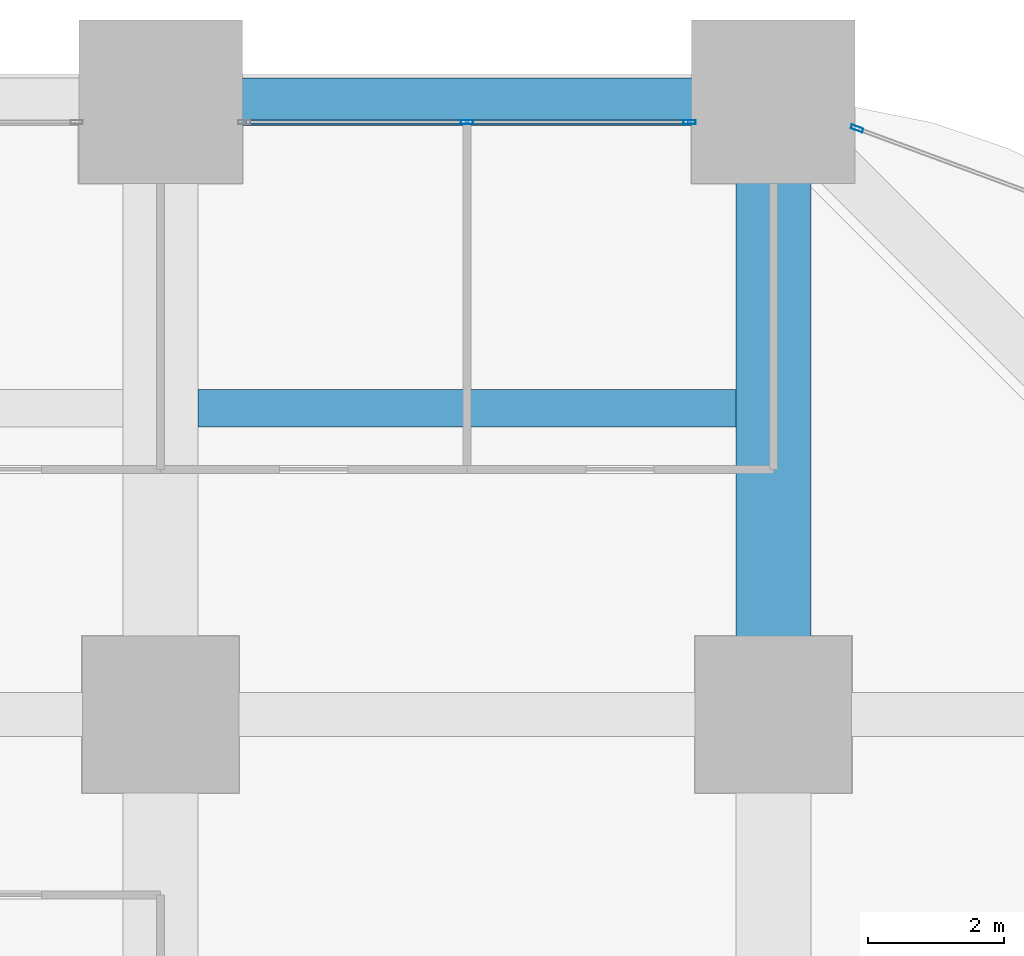
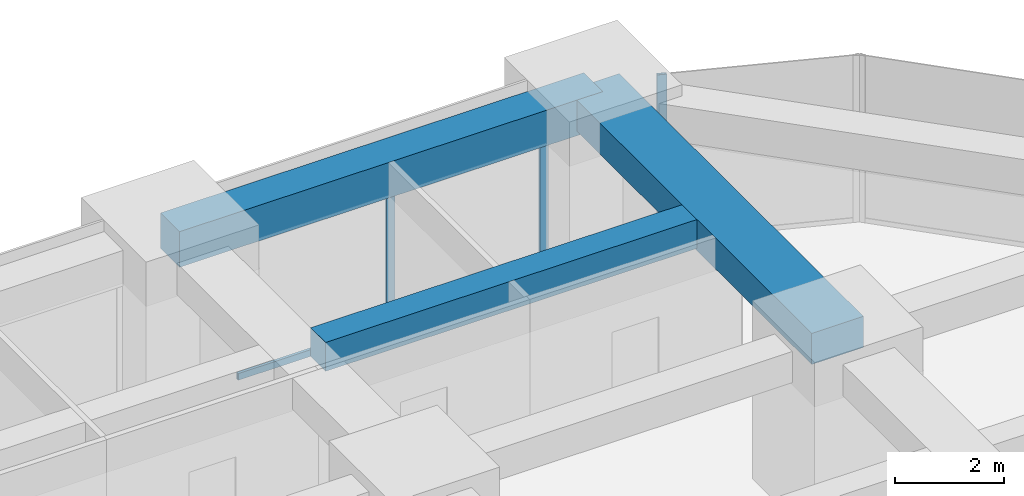
# One storey, part 36 of 44: 4 members, 3 beams, 2 elements without a shape of their own.
"""IFC4 building model written with IfcOpenShell, lengths in metres."""

import ifcopenshell
import ifcopenshell.guid

model = None  # the IFC model being written
_history = None  # IfcOwnerHistory: only IFC2X3 demands one
_inside = {}  # id of a spatial element -> (the spatial element, [elements in it])
_under = {}  # id of a project, library or spatial element -> (it, [spatial elements below it])
_declared = {}  # id of a project -> (the project, [libraries it declares])
_typed = {}  # id of a type object -> (the type object, [elements of that type])
_made_of = {}  # id of a material, layer set ... -> (it, [elements and type objects made of it])


def new_model(schema):
    """Start an empty IFC model of exactly this schema.

    Asked for "IFC4X3", IfcOpenShell would pick the latest addendum, in which some entities
    have other attributes; the version numbers below select the first issue.
    IFC2X3 requires an IfcOwnerHistory on every rooted entity: one is made here for all.
    """
    global model, _history
    if schema == "IFC4X3":
        model = ifcopenshell.file(schema_version=(4, 3, 0, 0))
    else:
        model = ifcopenshell.file(schema=schema)
    _inside.clear()
    _under.clear()
    _declared.clear()
    _typed.clear()
    _made_of.clear()
    _history = None
    if model.schema == "IFC2X3":
        org = make("IfcOrganization", Name="unknown")
        user = make(
            "IfcPersonAndOrganization",
            ThePerson=make("IfcPerson", FamilyName="unknown"),
            TheOrganization=org,
        )
        app = make(
            "IfcApplication",
            ApplicationDeveloper=org,
            Version="unknown",
            ApplicationFullName="unknown",
            ApplicationIdentifier="unknown",
        )
        _history = make(
            "IfcOwnerHistory",
            OwningUser=user,
            OwningApplication=app,
            ChangeAction="ADDED",
            CreationDate=0,
        )
    return model


def make(cls, **values):
    """One entity of the class cls with the attributes given. An attribute that is None is left unset."""
    return model.create_entity(
        cls, **{name: value for name, value in values.items() if value is not None}
    )


def rooted(cls, **values):
    """An entity with a GlobalId (a new one), such as an element, a storey or a relation."""
    return make(cls, GlobalId=ifcopenshell.guid.new(), OwnerHistory=_history, **values)


def si_unit(unit_type, name, prefix=None):
    """IfcSIUnit, for example si_unit("LENGTHUNIT", "METRE", prefix="MILLI")."""
    return make("IfcSIUnit", UnitType=unit_type, Prefix=prefix, Name=name)


def assignment(units):
    """IfcUnitAssignment: the units of a project."""
    return None if units is None else make("IfcUnitAssignment", Units=units)


def point(xyz):
    """IfcCartesianPoint."""
    return None if xyz is None else make("IfcCartesianPoint", Coordinates=xyz)


def direction(xyz):
    """IfcDirection."""
    return None if xyz is None else make("IfcDirection", DirectionRatios=xyz)


def frame(location, z_axis=None, x_axis=None):
    """IfcAxis2Placement3D, a coordinate frame: its origin and axes. An axis left out is left unset."""
    return make(
        "IfcAxis2Placement3D",
        Location=point(location),
        Axis=direction(z_axis),
        RefDirection=direction(x_axis),
    )


def frame_2d(location, x_axis=None):
    """IfcAxis2Placement2D, a coordinate frame in the plane: its origin and x axis."""
    return make(
        "IfcAxis2Placement2D", Location=point(location), RefDirection=direction(x_axis)
    )


def origin():
    """The frame at (0, 0, 0) with its axes left unset."""
    return frame((0.0, 0.0, 0.0))


def origin_2d():
    """The frame at (0, 0) in the plane with its x axis left unset."""
    return frame_2d((0.0, 0.0))


def place(relative_to, where):
    """IfcLocalPlacement: puts the frame where relative to a parent placement (None: the world)."""
    return make(
        "IfcLocalPlacement", PlacementRelTo=relative_to, RelativePlacement=where
    )


def context(
    kind, dimensions, precision=None, world=None, true_north=None, identifier=None
):
    """IfcGeometricRepresentationContext, for example the 3D "Model" context."""
    return make(
        "IfcGeometricRepresentationContext",
        ContextIdentifier=identifier,
        ContextType=kind,
        CoordinateSpaceDimension=dimensions,
        Precision=precision,
        WorldCoordinateSystem=world,
        TrueNorth=true_north,
    )


def subcontext(parent, identifier, kind, view, scale=None):
    """IfcGeometricRepresentationSubContext, for example "Body" below "Model"."""
    return make(
        "IfcGeometricRepresentationSubContext",
        ContextIdentifier=identifier,
        ContextType=kind,
        ParentContext=parent,
        TargetScale=scale,
        TargetView=view,
    )


def project(units=None, contexts=None):
    """IfcProject with its units and contexts."""
    return rooted(
        "IfcProject",
        Name="project",
        RepresentationContexts=contexts,
        UnitsInContext=assignment(units),
    )


def spatial(cls, under=None, at=None, **own):
    """A site, building, storey or space (cls), placed at a placement, below another one or the project."""
    s = rooted(cls, ObjectPlacement=at, **own)
    if under is not None:
        _under.setdefault(under.id(), (under, []))[1].append(s)
    return s


def profile(cls, at=None, kind="AREA", **sizes):
    """A parametric profile (cls). Its sizes go by their IFC names, for example OverallWidth=200.0."""
    return make(cls, ProfileType=kind, Position=at, **sizes)


def rectangle(**sizes):
    """IfcRectangleProfileDef."""
    return profile("IfcRectangleProfileDef", **sizes)


def hollow_rectangle(**sizes):
    """IfcRectangleHollowProfileDef."""
    return profile("IfcRectangleHollowProfileDef", **sizes)


def extrude(swept, where, along, depth):
    """IfcExtrudedAreaSolid: the profile swept, set in the frame where, extruded along a direction by depth."""
    return make(
        "IfcExtrudedAreaSolid",
        SweptArea=swept,
        Position=where,
        ExtrudedDirection=direction(along),
        Depth=depth,
    )


def shape(context_of_items, identifier, shape_type, items):
    """IfcShapeRepresentation: the items that make up one representation, for example the "Body"."""
    return make(
        "IfcShapeRepresentation",
        ContextOfItems=context_of_items,
        RepresentationIdentifier=identifier,
        RepresentationType=shape_type,
        Items=items,
    )


def material(Name=None, Category=None):
    """IfcMaterial."""
    return make("IfcMaterial", Name=Name, Category=Category)


def material_profile(
    of_material, cross_section, Name=None, Category=None, Priority=None
):
    """IfcMaterialProfile: a cross section and its material."""
    return make(
        "IfcMaterialProfile",
        Name=Name,
        Material=of_material,
        Profile=cross_section,
        Priority=Priority,
        Category=Category,
    )


def profile_set(profiles, Name=None, composite=None):
    """IfcMaterialProfileSet."""
    return make(
        "IfcMaterialProfileSet",
        Name=Name,
        MaterialProfiles=profiles,
        CompositeProfile=composite,
    )


def made_of(thing, what):
    """Note that an element or type object is made of a material, layer set ...; save() writes the relation."""
    if what is not None:
        _made_of.setdefault(what.id(), (what, []))[1].append(thing)
    return thing


def type_object(cls, material=None, **own):
    """A type object (cls), such as IfcWallType, which elements share."""
    return made_of(rooted(cls, **own), material)


def element(
    cls,
    number,
    at=None,
    inside=None,
    cuts=None,
    type_object=None,
    material=None,
    context=None,
    identifier="Body",
    shape_type=None,
    held_by="IfcProductDefinitionShape",
    body=None,
    shapes=None,
    **own,
):
    """One element of the class cls, such as IfcWall. Its Tag is "e" and its number.

    at: its placement. inside: the storey or other place that contains it. cuts: it is an
    opening in that element (IfcRelVoidsElement). A single representation is given by context,
    identifier, shape_type and body (its items); several are given by shapes. held_by: the class
    of the entity that holds the representations. save() writes the other relations.
    """
    e = rooted(cls, Tag="e%d" % number, ObjectPlacement=at, **own)
    if body is not None:
        shapes = [shape(context, identifier, shape_type, body)]
    if shapes is not None:
        e.Representation = make(held_by, Representations=shapes)
    if inside is not None:
        _inside.setdefault(inside.id(), (inside, []))[1].append(e)
    if cuts is not None:
        rooted(
            "IfcRelVoidsElement", RelatingBuildingElement=cuts, RelatedOpeningElement=e
        )
    if type_object is not None:
        _typed.setdefault(type_object.id(), (type_object, []))[1].append(e)
    return made_of(e, material)


def aggregate(whole, parts):
    """IfcRelAggregates: a whole, such as a stair, and the parts it consists of."""
    return rooted("IfcRelAggregates", RelatingObject=whole, RelatedObjects=parts)


def save(model, path):
    """Write the relations noted so far, then the file.

    IfcRelAggregates (storeys below a building ...), IfcRelContainedInSpatialStructure (elements
    in a storey), IfcRelDefinesByType, IfcRelAssociatesMaterial and IfcRelDeclares: one each for
    every whole, place, type object, material and project.
    """
    for whole, parts in _under.values():
        aggregate(whole, parts)
    for where, things in _inside.values():
        rooted(
            "IfcRelContainedInSpatialStructure",
            RelatedElements=things,
            RelatingStructure=where,
        )
    for kind, things in _typed.values():
        rooted("IfcRelDefinesByType", RelatedObjects=things, RelatingType=kind)
    for what, things in _made_of.values():
        rooted("IfcRelAssociatesMaterial", RelatedObjects=things, RelatingMaterial=what)
    for by, libraries in _declared.values():
        rooted("IfcRelDeclares", RelatingContext=by, RelatedDefinitions=libraries)
    model.write(path)


model = new_model("IFC4")

# Units and contexts
model_context = context("Model", 3, precision=1e-05, world=origin(), true_north=direction((0.0, 1.0)))
body_context = subcontext(model_context, "Body", "Model", "MODEL_VIEW")
ifc_project = project(units=[si_unit("LENGTHUNIT", "METRE"), si_unit("AREAUNIT", "SQUARE_METRE"), si_unit("VOLUMEUNIT", "CUBIC_METRE"), si_unit("PLANEANGLEUNIT", "RADIAN"), si_unit("MASSUNIT", "GRAM", prefix="KILO")], contexts=[model_context])

# Site, building, storey
site_placement = place(None, origin())
site = spatial("IfcSite", under=ifc_project, at=site_placement, CompositionType="ELEMENT")
building_placement = place(site_placement, origin())
building = spatial("IfcBuilding", under=site, at=building_placement, Name="Zorevar Civic Tower", CompositionType="ELEMENT")
storey_placement = place(building_placement, frame((0.0, 0.0, 35.800048828125)))
storey = spatial("IfcBuildingStorey", under=building, at=storey_placement, Name="L08", CompositionType="ELEMENT", Elevation=35.800048828125)

# Beams
ifc_material_1 = material(Name="Concrete C50/60", Category="concrete")
ifc_material_profile_1 = material_profile(ifc_material_1, rectangle(XDim=1.10009765625, YDim=0.699951171875, at=origin_2d()), Name="RC 1100x700")
ifc_profile_set_1 = profile_set([ifc_material_profile_1], Name="Concrete C50/60")
beam_type_1 = type_object("IfcBeamType", Name="Beam RC 1100x700", PredefinedType="BEAM", material=ifc_profile_set_1)
beam_1_placement = place(storey_placement, frame((54.0, 45.0, 3.39990234375), z_axis=(0.0, 1.0, 0.0), x_axis=(-1.0, 0.0, 0.0)))
element("IfcBeam", 1, at=beam_1_placement, inside=storey, type_object=beam_type_1, Name="Girder L09", PredefinedType="BEAM", context=body_context, shape_type="SweptSolid", body=[
    extrude(rectangle(XDim=1.10009765625, YDim=0.699951171875, at=origin_2d()), origin(), (0.0, 0.0, 1.0), 9.0),
])
ifc_material_2 = material(Name="Concrete C50/60", Category="concrete")
ifc_material_profile_2 = material_profile(ifc_material_2, rectangle(XDim=0.550048828125, YDim=0.64990234375, at=origin_2d()), Name="RC 550x650")
ifc_profile_set_2 = profile_set([ifc_material_profile_2], Name="Concrete C50/60")
beam_type_2 = type_object("IfcBeamType", Name="Beam RC 550x650", PredefinedType="BEAM", material=ifc_profile_set_2)
beam_2_placement = place(storey_placement, frame((45.550048828125, 49.5, 3.425048828125), z_axis=(1.0, 0.0, 0.0), x_axis=(0.0, 1.0, 0.0)))
element("IfcBeam", 2, at=beam_2_placement, inside=storey, type_object=beam_type_2, Name="Secondary beam L09", PredefinedType="BEAM", context=body_context, shape_type="SweptSolid", body=[
    extrude(rectangle(XDim=0.550048828125, YDim=0.64990234375, at=origin_2d()), origin(), (0.0, 0.0, 1.0), 7.89990234375),
])

# Curtain wall, members
ifc_material_3 = material(Name="Dark grey solar-control glass in black aluminium frame", Category="aluminium")
curtain_wall_type = type_object("IfcCurtainWallType", Name="Curtain wall CW2 low zone", PredefinedType="NOTDEFINED", material=ifc_material_3)
curtain_wall_1_placement = place(storey_placement, origin())
curtain_wall_1 = element("IfcCurtainWall", 3, at=curtain_wall_1_placement, inside=storey, type_object=curtain_wall_type, Name="CW2 L08", PredefinedType="NOTDEFINED")
ifc_material_4 = material(Name="Aluminium, black anodised", Category="aluminium")
ifc_material_profile_3 = material_profile(ifc_material_4, hollow_rectangle(XDim=0.06005859375, YDim=0.179931640625, WallThickness=0.00390625, at=origin_2d()), Name="AL 180x60x4")
ifc_profile_set_3 = profile_set([ifc_material_profile_3], Name="Aluminium, black anodised")
member_type_1 = type_object("IfcMemberType", Name="CW2 mullion AL 180x60x4", PredefinedType="MULLION", material=ifc_profile_set_3)
member_1_placement = place(storey_placement, frame((49.5, 53.699951171875, 0.06005859375), z_axis=(0.0, 0.0, 1.0), x_axis=(0.0, 1.0, 0.0)))
member_1 = element("IfcMember", 4, at=member_1_placement, type_object=member_type_1, Name="CW2 mullion 2", PredefinedType="MULLION", context=body_context, shape_type="SweptSolid", body=[
    extrude(hollow_rectangle(XDim=0.06005859375, YDim=0.179931640625, WallThickness=0.00390625, at=origin_2d()), origin(), (0.0, 0.0, 1.0), 2.889892578125),
])
member_2_placement = place(storey_placement, frame((52.77001953125, 53.699951171875, 0.0), z_axis=(0.0, 0.0, 1.0), x_axis=(0.0, 1.0, 0.0)))
member_2 = element("IfcMember", 5, at=member_2_placement, type_object=member_type_1, Name="CW2 mullion 3", PredefinedType="MULLION", context=body_context, shape_type="SweptSolid", body=[
    extrude(hollow_rectangle(XDim=0.06005859375, YDim=0.179931640625, WallThickness=0.00390625, at=origin_2d()), origin(), (0.0, 0.0, 1.0), 2.949951171875),
])

# Curtain wall, member
curtain_wall_2_placement = place(storey_placement, origin())
curtain_wall_2 = element("IfcCurtainWall", 6, at=curtain_wall_2_placement, inside=storey, type_object=curtain_wall_type, Name="CW2 L08", PredefinedType="NOTDEFINED")
member_3_placement = place(storey_placement, frame((55.22802734375, 53.6064453125, 0.0), z_axis=(0.0, 0.0, 1.0), x_axis=(-0.346704012033, -0.937974588163, 0.0)))
member_3 = element("IfcMember", 7, at=member_3_placement, type_object=member_type_1, Name="CW2 mullion 2", PredefinedType="MULLION", context=body_context, shape_type="SweptSolid", body=[
    extrude(hollow_rectangle(XDim=0.06005859375, YDim=0.179931640625, WallThickness=0.00390625, at=origin_2d()), origin(), (0.0, 0.0, 1.0), 3.75),
])
aggregate(curtain_wall_2, [member_3])

# Member
ifc_material_5 = material(Name="Aluminium, black anodised", Category="aluminium")
ifc_material_profile_4 = material_profile(ifc_material_5, hollow_rectangle(XDim=0.06005859375, YDim=0.14990234375, WallThickness=0.00390625, at=origin_2d()), Name="AL 150x60x4")
ifc_profile_set_4 = profile_set([ifc_material_profile_4], Name="Aluminium, black anodised")
member_type_2 = type_object("IfcMemberType", Name="CW2 transom AL 150x60x4", PredefinedType="USERDEFINED", material=ifc_profile_set_4)
member_4_placement = place(storey_placement, frame((46.260009765625, 53.699951171875, 0.030029296875), z_axis=(1.0, 0.0, 0.0), x_axis=(0.0, 1.0, 0.0)))
member_4 = element("IfcMember", 8, at=member_4_placement, type_object=member_type_2, Name="CW2 sill transom", ObjectType="TRANSOM", PredefinedType="USERDEFINED", context=body_context, shape_type="SweptSolid", body=[
    extrude(hollow_rectangle(XDim=0.06005859375, YDim=0.14990234375, WallThickness=0.00390625, at=origin_2d()), origin(), (0.0, 0.0, 1.0), 6.47998046875),
])

aggregate(curtain_wall_1, [member_1, member_2, member_4])

# Beam
ifc_material_6 = material(Name="Concrete C50/60", Category="concrete")
ifc_material_profile_5 = material_profile(ifc_material_6, rectangle(XDim=0.699951171875, YDim=0.800048828125, at=origin_2d()), Name="RC 700x800")
ifc_profile_set_5 = profile_set([ifc_material_profile_5], Name="Concrete C50/60")
beam_type_3 = type_object("IfcBeamType", Name="Edge beam RC 700x800", PredefinedType="SPANDREL", material=ifc_profile_set_5)
beam_3_placement = place(storey_placement, frame((45.0, 54.0, 3.349853515625), z_axis=(1.0, 0.0, 0.0), x_axis=(0.0, 1.0, 0.0)))
element("IfcBeam", 9, at=beam_3_placement, inside=storey, type_object=beam_type_3, Name="Edge beam L09", PredefinedType="SPANDREL", context=body_context, shape_type="SweptSolid", body=[
    extrude(rectangle(XDim=0.699951171875, YDim=0.800048828125, at=origin_2d()), origin(), (0.0, 0.0, 1.0), 9.0),
])

save(model, "model.ifc")
